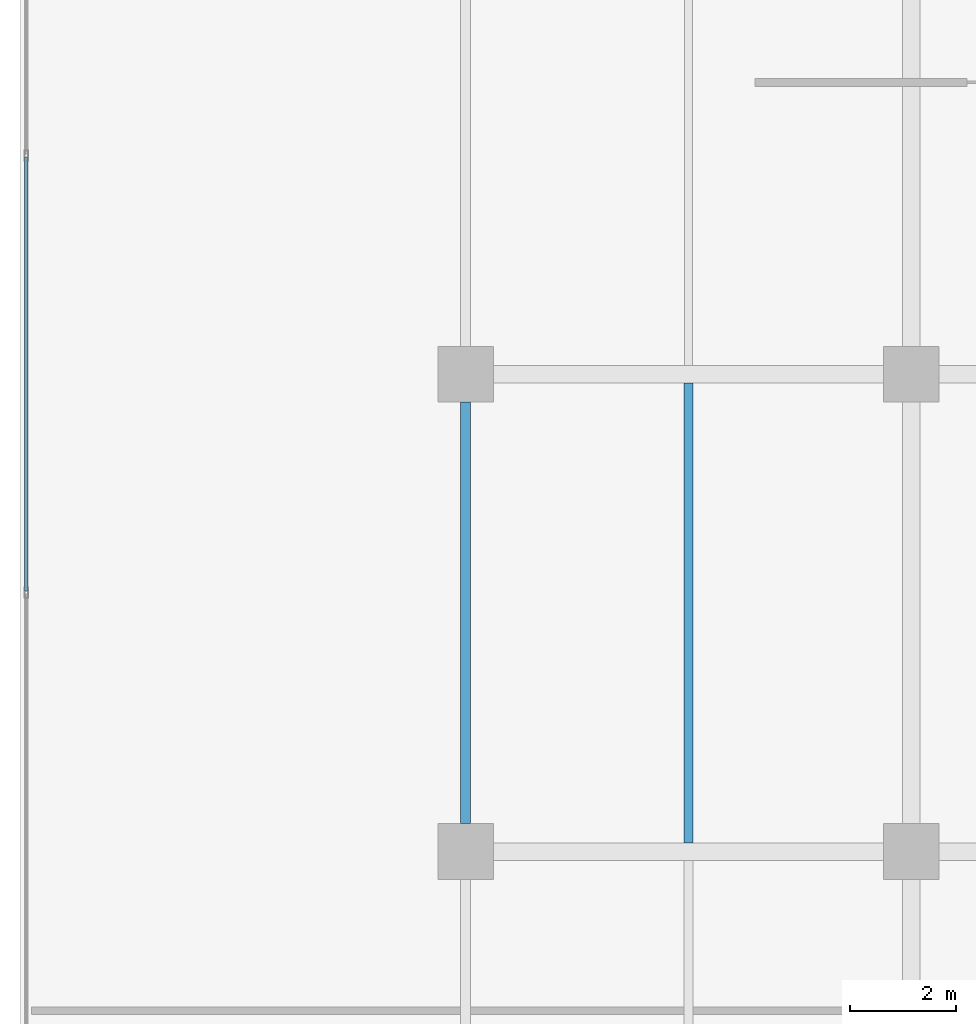
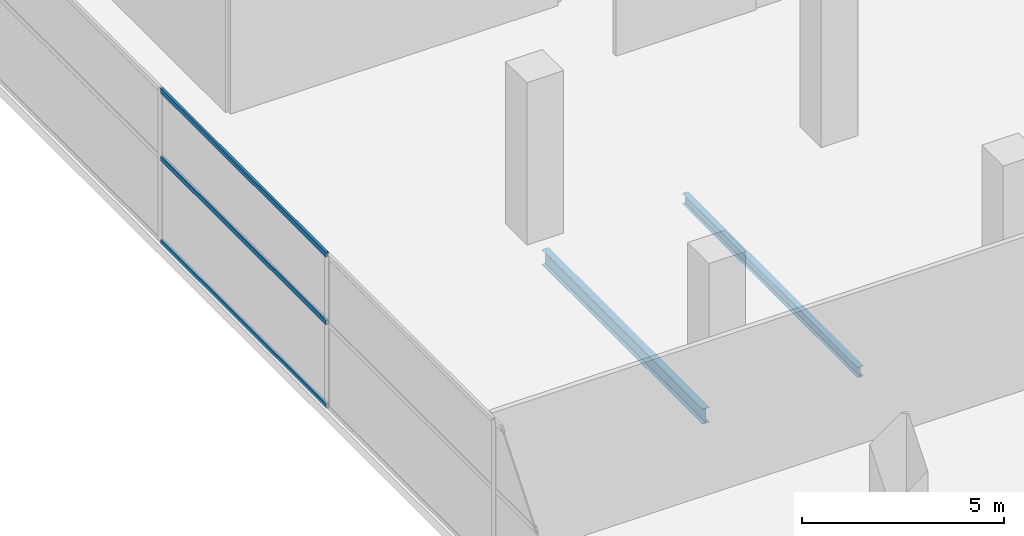
# One storey, part 10 of 39: 3 members, 2 beams, 1 element without a shape of its own.
"""IFC4 building model written with IfcOpenShell, lengths in metres."""

from ifc_helpers import new_model, si_unit, direction, frame, origin, origin_2d, place, context, subcontext, project, spatial, hollow_rectangle, i_section, extrude, material, layer, layer_set, material_profile, profile_set, type_object, element, aggregate, save


model = new_model("IFC4")

# Units and contexts
model_context = context("Model", 3, precision=1e-05, world=origin(), true_north=direction((0.0, 1.0)))
body_context = subcontext(model_context, "Body", "Model", "MODEL_VIEW")
ifc_project = project(units=[si_unit("LENGTHUNIT", "METRE"), si_unit("AREAUNIT", "SQUARE_METRE"), si_unit("VOLUMEUNIT", "CUBIC_METRE"), si_unit("PLANEANGLEUNIT", "RADIAN"), si_unit("MASSUNIT", "GRAM", prefix="KILO")], contexts=[model_context])

# Site, building, storey
site_placement = place(None, origin())
site = spatial("IfcSite", under=ifc_project, at=site_placement, CompositionType="ELEMENT")
building_placement = place(site_placement, origin())
building = spatial("IfcBuilding", under=site, at=building_placement, Name="Maruvema Waterfront Hotel and Observation Tower", CompositionType="ELEMENT")
storey_placement = place(building_placement, frame((0.0, 0.0, 16.449951171875)))
storey = spatial("IfcBuildingStorey", under=building, at=storey_placement, Name="L03", CompositionType="ELEMENT", Elevation=16.449951171875)

# Curtain wall, members
ifc_material_1 = material(Name="Anodised bronze aluminium and solar-control low-E IGU", Category="aluminium")
ifc_layer = layer(ifc_material_1, 0.159912109375, Name="Podium Waterfront Storefront Curtain Wall System CW-01")
ifc_layer_set = layer_set([ifc_layer], Name="Anodised bronze aluminium and solar-control low-E IGU")
curtain_wall_type = type_object("IfcCurtainWallType", Name="Podium Waterfront Storefront Curtain Wall System CW-01", PredefinedType="USERDEFINED", material=ifc_layer_set)
curtain_wall_placement = place(storey_placement, origin())
curtain_wall = element("IfcCurtainWall", 1, at=curtain_wall_placement, inside=storey, type_object=curtain_wall_type, Name="L03 Curtain Wall CW-L03-W", ObjectType="UNITISED CURTAIN WALL", PredefinedType="USERDEFINED")
ifc_material_2 = material(Name="Anodised architectural bronze aluminium", Category="aluminium")
ifc_material_profile_1 = material_profile(ifc_material_2, hollow_rectangle(XDim=0.070068359375, YDim=0.14990234375, WallThickness=0.00390625, at=origin_2d()), Name="ALU-T70x150")
ifc_profile_set_1 = profile_set([ifc_material_profile_1], Name="Anodised architectural bronze aluminium")
member_type = type_object("IfcMemberType", Name="Curtain Wall Horizontal Transom ALU-T70x150", PredefinedType="USERDEFINED", material=ifc_profile_set_1)
member_1_placement = place(storey_placement, frame((0.1201171875, 31.090087890625, 0.030029296875), z_axis=(0.0, -1.0, 0.0), x_axis=(1.0, 0.0, 0.0)))
member_1 = element("IfcMember", 2, at=member_1_placement, type_object=member_type, Name="CW-01 transom 3.1", ObjectType="TRANSOM", PredefinedType="USERDEFINED", context=body_context, shape_type="SweptSolid", body=[
    extrude(hollow_rectangle(XDim=0.070068359375, YDim=0.14990234375, WallThickness=0.00390625, at=origin_2d()), origin(), (0.0, 0.0, 1.0), 8.18017578125),
])
member_2_placement = place(storey_placement, frame((0.1201171875, 31.090087890625, 2.550048828125), z_axis=(0.0, -1.0, 0.0), x_axis=(1.0, 0.0, 0.0)))
member_2 = element("IfcMember", 3, at=member_2_placement, type_object=member_type, Name="CW-01 transom 3.2", ObjectType="TRANSOM", PredefinedType="USERDEFINED", context=body_context, shape_type="SweptSolid", body=[
    extrude(hollow_rectangle(XDim=0.070068359375, YDim=0.14990234375, WallThickness=0.00390625, at=origin_2d()), origin(), (0.0, 0.0, 1.0), 8.18017578125),
])
member_3_placement = place(storey_placement, frame((0.1201171875, 31.090087890625, 4.590087890625), z_axis=(0.0, -1.0, 0.0), x_axis=(1.0, 0.0, 0.0)))
member_3 = element("IfcMember", 4, at=member_3_placement, type_object=member_type, Name="CW-01 transom 3.3", ObjectType="TRANSOM", PredefinedType="USERDEFINED", context=body_context, shape_type="SweptSolid", body=[
    extrude(hollow_rectangle(XDim=0.070068359375, YDim=0.14990234375, WallThickness=0.00390625, at=origin_2d()), origin(), (0.0, 0.0, 1.0), 8.18017578125),
])
aggregate(curtain_wall, [member_1, member_2, member_3])

# Beams
ifc_material_3 = material(Name="Steel ASTM A572 Grade 50", Category="steel")
ifc_material_profile_2 = material_profile(ifc_material_3, i_section(OverallWidth=0.18994140625, OverallDepth=0.45703125, WebThickness=0.009033203125, FlangeThickness=0.014404296875, FilletRadius=0.014892578125, at=origin_2d()), Name="W460x74.0")
ifc_profile_set_2 = profile_set([ifc_material_profile_2], Name="Steel ASTM A572 Grade 50")
beam_type_1 = type_object("IfcBeamType", Name="Perimeter Spandrel Beam W460x74.0", PredefinedType="SPANDREL", material=ifc_profile_set_2)
beam_1_placement = place(storey_placement, frame((8.39990234375, 18.52490234375, -0.508544921875), z_axis=(0.0, 1.0, 0.0), x_axis=(-1.0, 0.0, 0.0)))
element("IfcBeam", 5, at=beam_1_placement, inside=storey, type_object=beam_type_1, Name="L03 Floor Girder NS-03", PredefinedType="SPANDREL", context=body_context, shape_type="SweptSolid", body=[
    extrude(i_section(OverallWidth=0.18994140625, OverallDepth=0.45703125, WebThickness=0.009033203125, FlangeThickness=0.014404296875, FilletRadius=0.014892578125, at=origin_2d()), origin(), (0.0, 0.0, 1.0), 7.9501953125),
])
ifc_material_4 = material(Name="Steel ASTM A572 Grade 50", Category="steel")
ifc_material_profile_3 = material_profile(ifc_material_4, i_section(OverallWidth=0.1650390625, OverallDepth=0.31005859375, WebThickness=0.005859375, FlangeThickness=0.009765625, FilletRadius=0.012939453125, at=origin_2d()), Name="W310x38.7")
ifc_profile_set_3 = profile_set([ifc_material_profile_3], Name="Steel ASTM A572 Grade 50")
beam_type_2 = type_object("IfcBeamType", Name="Secondary Floor Joist W310x38.7", PredefinedType="JOIST", material=ifc_profile_set_3)
beam_2_placement = place(storey_placement, frame((12.60009765625, 18.16455078125, -0.43505859375), z_axis=(0.0, 1.0, 0.0), x_axis=(-1.0, 0.0, 0.0)))
element("IfcBeam", 6, at=beam_2_placement, inside=storey, type_object=beam_type_2, Name="L03 Secondary Floor Joist JS-02", PredefinedType="JOIST", context=body_context, shape_type="SweptSolid", body=[
    extrude(i_section(OverallWidth=0.1650390625, OverallDepth=0.31005859375, WebThickness=0.005859375, FlangeThickness=0.009765625, FilletRadius=0.012939453125, at=origin_2d()), origin(), (0.0, 0.0, 1.0), 8.6708984375),
])

save(model, "model.ifc")
